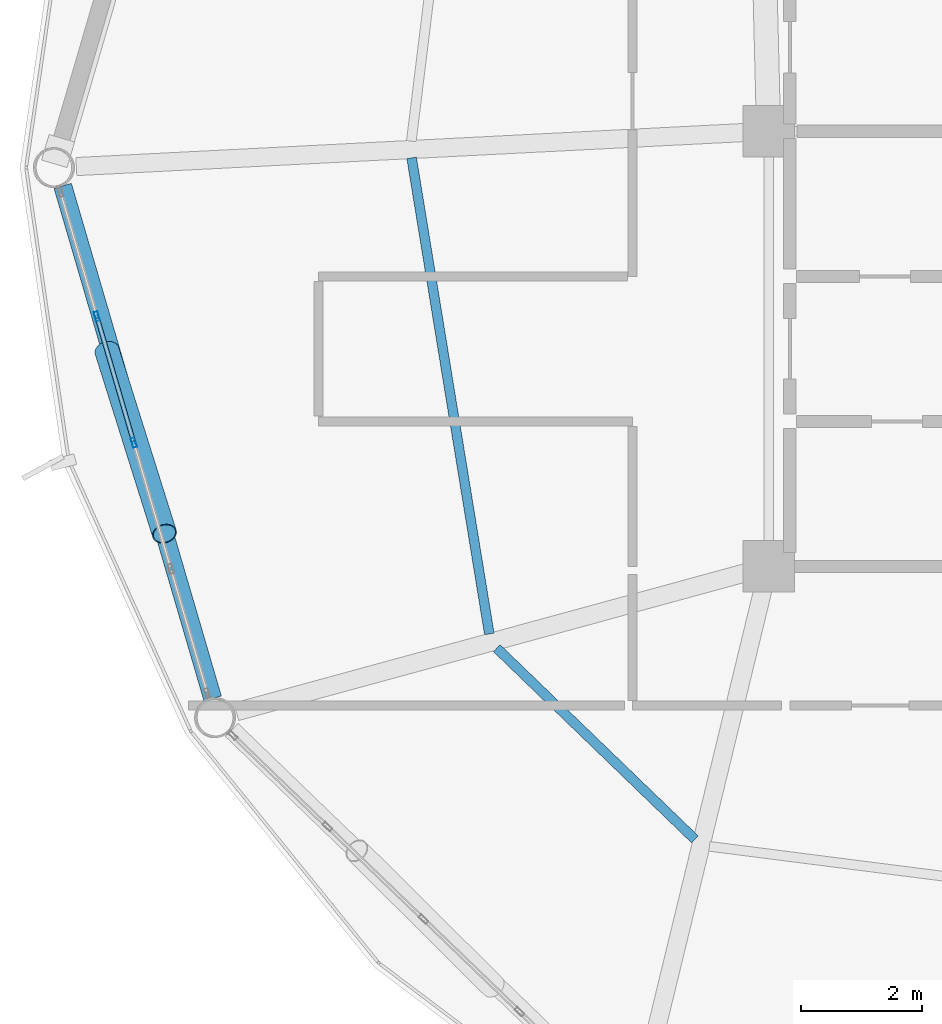
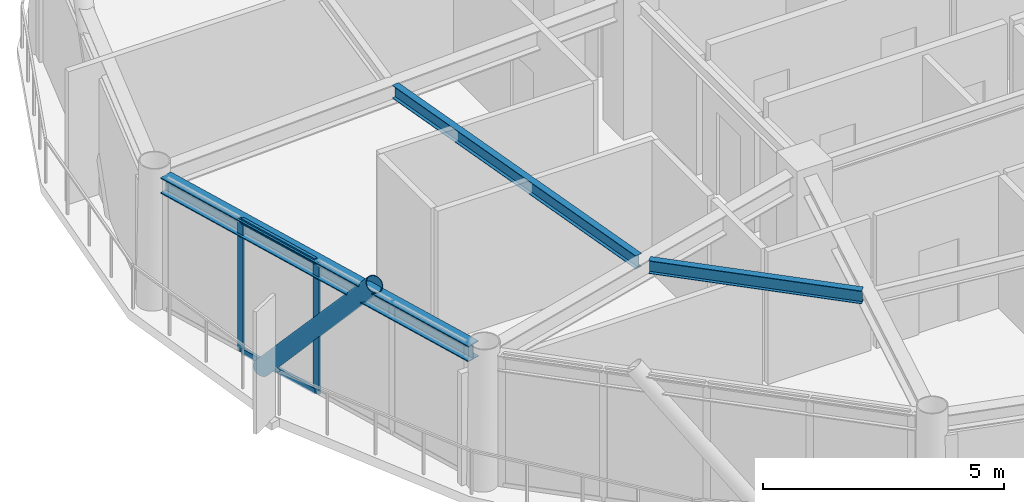
# One storey, part 5 of 26: 5 members, 3 beams, 1 element without a shape of its own.
"""IFC4 building model written with IfcOpenShell, lengths in metres."""

from ifc_helpers import new_model, si_unit, direction, frame, origin, origin_2d, place, context, subcontext, project, spatial, hollow_rectangle, hollow_circle, i_section, extrude, material, layer, layer_set, material_profile, profile_set, type_object, element, aggregate, save


model = new_model("IFC4")

# Units and contexts
model_context = context("Model", 3, precision=1e-05, world=origin(), true_north=direction((0.0, 1.0)))
body_context = subcontext(model_context, "Body", "Model", "MODEL_VIEW")
ifc_project = project(units=[si_unit("LENGTHUNIT", "METRE"), si_unit("AREAUNIT", "SQUARE_METRE"), si_unit("VOLUMEUNIT", "CUBIC_METRE"), si_unit("PLANEANGLEUNIT", "RADIAN"), si_unit("MASSUNIT", "GRAM", prefix="KILO")], contexts=[model_context])

# Site, building, storey
site_placement = place(None, origin())
site = spatial("IfcSite", under=ifc_project, at=site_placement, CompositionType="ELEMENT")
building_placement = place(site_placement, origin())
building = spatial("IfcBuilding", under=site, at=building_placement, Name="Varnakorn Sky Granary", CompositionType="ELEMENT")
storey_placement = place(building_placement, frame((0.0, 0.0, 218.39990234375)))
storey = spatial("IfcBuildingStorey", under=building, at=storey_placement, Name="L55", CompositionType="ELEMENT", Elevation=218.39990234375)

# Beams
ifc_material_1 = material(Name="Steel S355JR", Category="steel")
ifc_material_profile_1 = material_profile(ifc_material_1, i_section(OverallWidth=0.159912109375, OverallDepth=0.330078125, WebThickness=0.007568359375, FlangeThickness=0.011474609375, at=origin_2d()), Name="IPE 330")
ifc_profile_set_1 = profile_set([ifc_material_profile_1], Name="Steel S355JR")
beam_type_1 = type_object("IfcBeamType", Name="BM-SEC-Z4", PredefinedType="BEAM", material=ifc_profile_set_1)
beam_1_placement = place(storey_placement, frame((-8.2568359375, 0.159423828125, 3.195068359375), z_axis=(0.161089332724, -0.986939829413, 0.0), x_axis=(0.986939829413, 0.161089332724, 0.0)))
element("IfcBeam", 1, at=beam_1_placement, inside=storey, type_object=beam_type_1, Name="Secondary Floor Chord Beam MSB07 L55", PredefinedType="BEAM", context=body_context, shape_type="SweptSolid", body=[
    extrude(i_section(OverallWidth=0.159912109375, OverallDepth=0.330078125, WebThickness=0.007568359375, FlangeThickness=0.011474609375, at=origin_2d()), origin(), (0.0, 0.0, 1.0), 7.98095703125),
])
beam_2_placement = place(storey_placement, frame((-6.847900390625, -7.952880859375, 3.195068359375), z_axis=(0.719562114486, -0.694428083675, 0.0), x_axis=(0.694428083675, 0.719562114486, 0.0)))
element("IfcBeam", 2, at=beam_2_placement, inside=storey, type_object=beam_type_1, Name="Secondary Floor Chord Beam MSB08 L55", PredefinedType="BEAM", context=body_context, shape_type="SweptSolid", body=[
    extrude(i_section(OverallWidth=0.159912109375, OverallDepth=0.330078125, WebThickness=0.007568359375, FlangeThickness=0.011474609375, at=origin_2d()), origin(), (0.0, 0.0, 1.0), 4.5556640625),
])
ifc_material_profile_2 = material_profile(ifc_material_1, i_section(OverallWidth=0.300048828125, OverallDepth=0.39990234375, WebThickness=0.013427734375, FlangeThickness=0.02392578125, at=origin_2d()), Name="HE 400 B")
ifc_profile_set_2 = profile_set([ifc_material_profile_2], Name="Steel S355JR")
beam_type_2 = type_object("IfcBeamType", Name="BM-SPD-Z4", PredefinedType="SPANDREL", material=ifc_profile_set_2)
beam_3_placement = place(storey_placement, frame((-14.030517578125, -0.30224609375, 3.16015625), z_axis=(0.280757261381, -0.959778807946, 0.0), x_axis=(0.959778807946, 0.280757261381, 0.0)))
element("IfcBeam", 3, at=beam_3_placement, inside=storey, type_object=beam_type_2, Name="Perimeter Spandrel Ring Beam RB07 L55", PredefinedType="SPANDREL", context=body_context, shape_type="SweptSolid", body=[
    extrude(i_section(OverallWidth=0.300048828125, OverallDepth=0.39990234375, WebThickness=0.013427734375, FlangeThickness=0.02392578125, at=origin_2d()), origin(), (0.0, 0.0, 1.0), 8.83837890625),
])

# Curtain wall, members
ifc_material_2 = material(Name="Anodised Bronze Aluminium Alloy 6063-T6", Category="aluminium")
ifc_layer = layer(ifc_material_2, 0.169921875, Name="Anodised Bronze Aluminium Alloy 6063-T6")
ifc_layer_set = layer_set([ifc_layer], Name="Anodised Bronze Aluminium Alloy 6063-T6")
curtain_wall_type = type_object("IfcCurtainWallType", Name="CW-LAB-1", PredefinedType="USERDEFINED", material=ifc_layer_set)
curtain_wall_placement = place(storey_placement, origin())
curtain_wall = element("IfcCurtainWall", 4, at=curtain_wall_placement, inside=storey, type_object=curtain_wall_type, Name="Unitised Curtain Wall CW5 CW-L55-B07", ObjectType="CURTAIN WALL", PredefinedType="USERDEFINED")
ifc_material_profile_3 = material_profile(ifc_material_2, hollow_rectangle(XDim=0.06494140625, YDim=0.159912109375, WallThickness=0.00341796875, at=origin_2d()), Name="ALU MULL 65x160")
ifc_profile_set_3 = profile_set([ifc_material_profile_3], Name="Anodised Bronze Aluminium Alloy 6063-T6")
member_type_1 = type_object("IfcMemberType", Name="CW-LAB-1-MULL", PredefinedType="MULLION", material=ifc_profile_set_3)
member_1_placement = place(storey_placement, frame((-12.853271484375, -4.55224609375, 0.0), z_axis=(0.0, 0.0, 1.0), x_axis=(-0.959663971781, -0.281149535416, 0.0)))
member_1 = element("IfcMember", 5, at=member_1_placement, type_object=member_type_1, Name="CW5 mullion 3", PredefinedType="MULLION", context=body_context, shape_type="SweptSolid", body=[
    extrude(hollow_rectangle(XDim=0.06494140625, YDim=0.159912109375, WallThickness=0.00341796875, at=origin_2d()), origin(), (0.0, 0.0, 1.0), 3.360107421875),
])
member_2_placement = place(storey_placement, frame((-13.46533203125, -2.46337890625, 0.0), z_axis=(0.0, 0.0, 1.0), x_axis=(-0.959663971781, -0.281149535416, 0.0)))
member_2 = element("IfcMember", 6, at=member_2_placement, type_object=member_type_1, Name="CW5 mullion 4", PredefinedType="MULLION", context=body_context, shape_type="SweptSolid", body=[
    extrude(hollow_rectangle(XDim=0.06494140625, YDim=0.159912109375, WallThickness=0.00341796875, at=origin_2d()), origin(), (0.0, 0.0, 1.0), 3.360107421875),
])
ifc_material_profile_4 = material_profile(ifc_material_2, hollow_rectangle(XDim=0.070068359375, YDim=0.139892578125, WallThickness=0.00341796875, at=origin_2d()), Name="ALU TRAN 70x140")
ifc_profile_set_4 = profile_set([ifc_material_profile_4], Name="Anodised Bronze Aluminium Alloy 6063-T6")
member_type_2 = type_object("IfcMemberType", Name="CW-LAB-1-TRAN", PredefinedType="USERDEFINED", material=ifc_profile_set_4)
member_3_placement = place(storey_placement, frame((-12.862548828125, -4.52099609375, 0.03515625), z_axis=(-0.281051990594, 0.959692543778, 0.0), x_axis=(-0.959692543778, -0.281051990594, 0.0)))
member_3 = element("IfcMember", 7, at=member_3_placement, type_object=member_type_2, Name="CW5 transom 3.1", ObjectType="TRANSOM", PredefinedType="USERDEFINED", context=body_context, shape_type="SweptSolid", body=[
    extrude(hollow_rectangle(XDim=0.070068359375, YDim=0.139892578125, WallThickness=0.00341796875, at=origin_2d()), origin(), (0.0, 0.0, 1.0), 2.11181640625),
])
member_4_placement = place(storey_placement, frame((-12.862548828125, -4.52099609375, 3.3251953125), z_axis=(-0.281051990594, 0.959692543778, 0.0), x_axis=(-0.959692543778, -0.281051990594, 0.0)))
member_4 = element("IfcMember", 8, at=member_4_placement, type_object=member_type_2, Name="CW5 transom 3.2", ObjectType="TRANSOM", PredefinedType="USERDEFINED", context=body_context, shape_type="SweptSolid", body=[
    extrude(hollow_rectangle(XDim=0.070068359375, YDim=0.139892578125, WallThickness=0.00341796875, at=origin_2d()), origin(), (0.0, 0.0, 1.0), 2.11181640625),
])
aggregate(curtain_wall, [member_1, member_2, member_3, member_4])

# Member
ifc_material_3 = material(Name="Steel S460M", Category="steel")
ifc_material_profile_5 = material_profile(ifc_material_3, hollow_circle(Radius=0.203125, WallThickness=0.01611328125, at=origin_2d()), Name="CHS 406.4x16")
ifc_profile_set_5 = profile_set([ifc_material_profile_5], Name="Steel S460M")
member_type_3 = type_object("IfcMemberType", Name="MB-DIAG-T4", PredefinedType="BRACE", material=ifc_profile_set_5)
member_5_placement = place(storey_placement, frame((-13.2978515625, -3.034912109375, -0.1298828125), z_axis=(0.197692088231, -0.628392921113, 0.752356414837), x_axis=(0.95390806651, 0.300098984748, 0.0)))
element("IfcMember", 9, at=member_5_placement, inside=storey, type_object=member_type_3, Name="Perimeter CHS Diagrid Brace DG07 L55", PredefinedType="BRACE", context=body_context, shape_type="SweptSolid", body=[
    extrude(hollow_circle(Radius=0.203125, WallThickness=0.01611328125, at=origin_2d()), origin(), (0.0, 0.0, 1.0), 4.811279296875),
])

save(model, "model.ifc")
